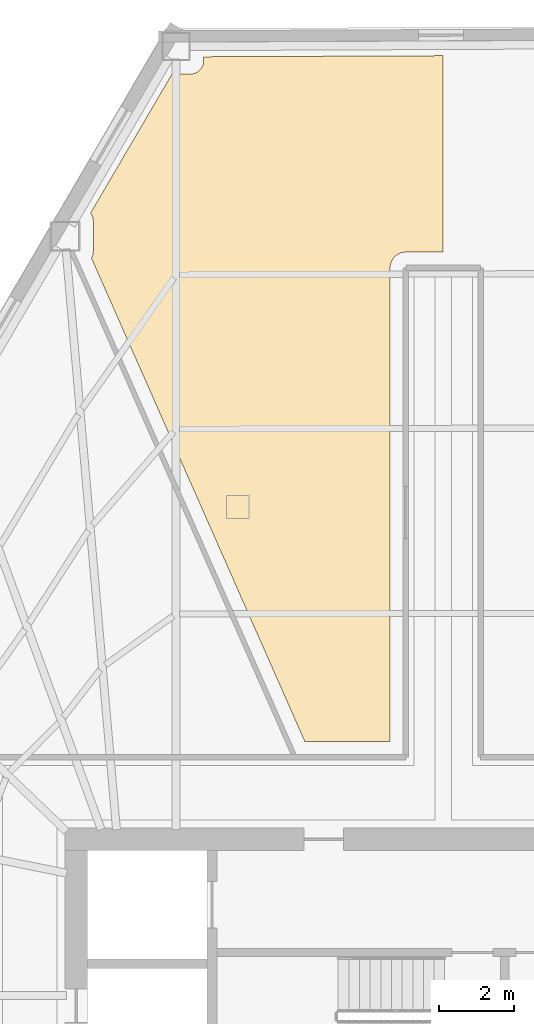
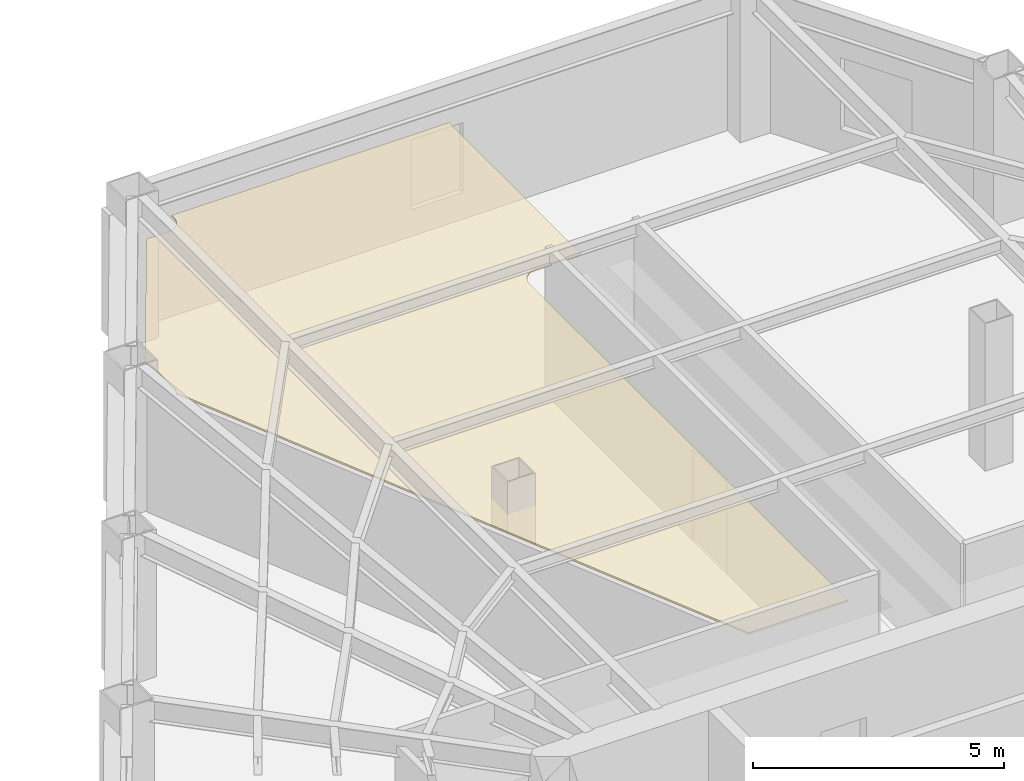
# One storey, part 15 of 15: 1 covering.
"""IFC4 building model written with IfcOpenShell, lengths in metres."""

import ifcopenshell
import ifcopenshell.guid

model = None  # the IFC model being written
_history = None  # IfcOwnerHistory: only IFC2X3 demands one
_inside = {}  # id of a spatial element -> (the spatial element, [elements in it])
_under = {}  # id of a project, library or spatial element -> (it, [spatial elements below it])
_declared = {}  # id of a project -> (the project, [libraries it declares])
_typed = {}  # id of a type object -> (the type object, [elements of that type])
_made_of = {}  # id of a material, layer set ... -> (it, [elements and type objects made of it])


def new_model(schema):
    """Start an empty IFC model of exactly this schema.

    Asked for "IFC4X3", IfcOpenShell would pick the latest addendum, in which some entities
    have other attributes; the version numbers below select the first issue.
    IFC2X3 requires an IfcOwnerHistory on every rooted entity: one is made here for all.
    """
    global model, _history
    if schema == "IFC4X3":
        model = ifcopenshell.file(schema_version=(4, 3, 0, 0))
    else:
        model = ifcopenshell.file(schema=schema)
    _inside.clear()
    _under.clear()
    _declared.clear()
    _typed.clear()
    _made_of.clear()
    _history = None
    if model.schema == "IFC2X3":
        org = make("IfcOrganization", Name="unknown")
        user = make(
            "IfcPersonAndOrganization",
            ThePerson=make("IfcPerson", FamilyName="unknown"),
            TheOrganization=org,
        )
        app = make(
            "IfcApplication",
            ApplicationDeveloper=org,
            Version="unknown",
            ApplicationFullName="unknown",
            ApplicationIdentifier="unknown",
        )
        _history = make(
            "IfcOwnerHistory",
            OwningUser=user,
            OwningApplication=app,
            ChangeAction="ADDED",
            CreationDate=0,
        )
    return model


def make(cls, **values):
    """One entity of the class cls with the attributes given. An attribute that is None is left unset."""
    return model.create_entity(
        cls, **{name: value for name, value in values.items() if value is not None}
    )


def rooted(cls, **values):
    """An entity with a GlobalId (a new one), such as an element, a storey or a relation."""
    return make(cls, GlobalId=ifcopenshell.guid.new(), OwnerHistory=_history, **values)


def si_unit(unit_type, name, prefix=None):
    """IfcSIUnit, for example si_unit("LENGTHUNIT", "METRE", prefix="MILLI")."""
    return make("IfcSIUnit", UnitType=unit_type, Prefix=prefix, Name=name)


def assignment(units):
    """IfcUnitAssignment: the units of a project."""
    return None if units is None else make("IfcUnitAssignment", Units=units)


def point(xyz):
    """IfcCartesianPoint."""
    return None if xyz is None else make("IfcCartesianPoint", Coordinates=xyz)


def direction(xyz):
    """IfcDirection."""
    return None if xyz is None else make("IfcDirection", DirectionRatios=xyz)


def frame(location, z_axis=None, x_axis=None):
    """IfcAxis2Placement3D, a coordinate frame: its origin and axes. An axis left out is left unset."""
    return make(
        "IfcAxis2Placement3D",
        Location=point(location),
        Axis=direction(z_axis),
        RefDirection=direction(x_axis),
    )


def origin():
    """The frame at (0, 0, 0) with its axes left unset."""
    return frame((0.0, 0.0, 0.0))


def place(relative_to, where):
    """IfcLocalPlacement: puts the frame where relative to a parent placement (None: the world)."""
    return make(
        "IfcLocalPlacement", PlacementRelTo=relative_to, RelativePlacement=where
    )


def context(
    kind, dimensions, precision=None, world=None, true_north=None, identifier=None
):
    """IfcGeometricRepresentationContext, for example the 3D "Model" context."""
    return make(
        "IfcGeometricRepresentationContext",
        ContextIdentifier=identifier,
        ContextType=kind,
        CoordinateSpaceDimension=dimensions,
        Precision=precision,
        WorldCoordinateSystem=world,
        TrueNorth=true_north,
    )


def subcontext(parent, identifier, kind, view, scale=None):
    """IfcGeometricRepresentationSubContext, for example "Body" below "Model"."""
    return make(
        "IfcGeometricRepresentationSubContext",
        ContextIdentifier=identifier,
        ContextType=kind,
        ParentContext=parent,
        TargetScale=scale,
        TargetView=view,
    )


def project(units=None, contexts=None):
    """IfcProject with its units and contexts."""
    return rooted(
        "IfcProject",
        Name="project",
        RepresentationContexts=contexts,
        UnitsInContext=assignment(units),
    )


def spatial(cls, under=None, at=None, **own):
    """A site, building, storey or space (cls), placed at a placement, below another one or the project."""
    s = rooted(cls, ObjectPlacement=at, **own)
    if under is not None:
        _under.setdefault(under.id(), (under, []))[1].append(s)
    return s


def polyline(points):
    """IfcPolyline through the points."""
    return make("IfcPolyline", Points=[point(p) for p in points])


def outline(outer, holes=None, kind="AREA"):
    """IfcArbitraryClosedProfileDef: a profile drawn as a closed curve; with holes, ...WithVoids."""
    if holes is None:
        return make("IfcArbitraryClosedProfileDef", ProfileType=kind, OuterCurve=outer)
    return make(
        "IfcArbitraryProfileDefWithVoids",
        ProfileType=kind,
        OuterCurve=outer,
        InnerCurves=holes,
    )


def extrude(swept, where, along, depth):
    """IfcExtrudedAreaSolid: the profile swept, set in the frame where, extruded along a direction by depth."""
    return make(
        "IfcExtrudedAreaSolid",
        SweptArea=swept,
        Position=where,
        ExtrudedDirection=direction(along),
        Depth=depth,
    )


def shape(context_of_items, identifier, shape_type, items):
    """IfcShapeRepresentation: the items that make up one representation, for example the "Body"."""
    return make(
        "IfcShapeRepresentation",
        ContextOfItems=context_of_items,
        RepresentationIdentifier=identifier,
        RepresentationType=shape_type,
        Items=items,
    )


def material(Name=None, Category=None):
    """IfcMaterial."""
    return make("IfcMaterial", Name=Name, Category=Category)


def layer(
    of_material, thickness, ventilated=None, Name=None, Category=None, Priority=None
):
    """IfcMaterialLayer: one layer of a wall or slab, of a material (None: an air gap)."""
    return make(
        "IfcMaterialLayer",
        Material=of_material,
        LayerThickness=thickness,
        IsVentilated=ventilated,
        Name=Name,
        Category=Category,
        Priority=Priority,
    )


def layer_set(layers, Name=None):
    """IfcMaterialLayerSet."""
    return make("IfcMaterialLayerSet", MaterialLayers=layers, LayerSetName=Name)


def made_of(thing, what):
    """Note that an element or type object is made of a material, layer set ...; save() writes the relation."""
    if what is not None:
        _made_of.setdefault(what.id(), (what, []))[1].append(thing)
    return thing


def type_object(cls, material=None, **own):
    """A type object (cls), such as IfcWallType, which elements share."""
    return made_of(rooted(cls, **own), material)


def element(
    cls,
    number,
    at=None,
    inside=None,
    cuts=None,
    type_object=None,
    material=None,
    context=None,
    identifier="Body",
    shape_type=None,
    held_by="IfcProductDefinitionShape",
    body=None,
    shapes=None,
    **own,
):
    """One element of the class cls, such as IfcWall. Its Tag is "e" and its number.

    at: its placement. inside: the storey or other place that contains it. cuts: it is an
    opening in that element (IfcRelVoidsElement). A single representation is given by context,
    identifier, shape_type and body (its items); several are given by shapes. held_by: the class
    of the entity that holds the representations. save() writes the other relations.
    """
    e = rooted(cls, Tag="e%d" % number, ObjectPlacement=at, **own)
    if body is not None:
        shapes = [shape(context, identifier, shape_type, body)]
    if shapes is not None:
        e.Representation = make(held_by, Representations=shapes)
    if inside is not None:
        _inside.setdefault(inside.id(), (inside, []))[1].append(e)
    if cuts is not None:
        rooted(
            "IfcRelVoidsElement", RelatingBuildingElement=cuts, RelatedOpeningElement=e
        )
    if type_object is not None:
        _typed.setdefault(type_object.id(), (type_object, []))[1].append(e)
    return made_of(e, material)


def aggregate(whole, parts):
    """IfcRelAggregates: a whole, such as a stair, and the parts it consists of."""
    return rooted("IfcRelAggregates", RelatingObject=whole, RelatedObjects=parts)


def save(model, path):
    """Write the relations noted so far, then the file.

    IfcRelAggregates (storeys below a building ...), IfcRelContainedInSpatialStructure (elements
    in a storey), IfcRelDefinesByType, IfcRelAssociatesMaterial and IfcRelDeclares: one each for
    every whole, place, type object, material and project.
    """
    for whole, parts in _under.values():
        aggregate(whole, parts)
    for where, things in _inside.values():
        rooted(
            "IfcRelContainedInSpatialStructure",
            RelatedElements=things,
            RelatingStructure=where,
        )
    for kind, things in _typed.values():
        rooted("IfcRelDefinesByType", RelatedObjects=things, RelatingType=kind)
    for what, things in _made_of.values():
        rooted("IfcRelAssociatesMaterial", RelatedObjects=things, RelatingMaterial=what)
    for by, libraries in _declared.values():
        rooted("IfcRelDeclares", RelatingContext=by, RelatedDefinitions=libraries)
    model.write(path)


model = new_model("IFC4")

# Units and contexts
model_context = context("Model", 3, precision=1e-05, world=origin(), true_north=direction((0.0, 1.0)))
body_context = subcontext(model_context, "Body", "Model", "MODEL_VIEW")
ifc_project = project(units=[si_unit("LENGTHUNIT", "METRE"), si_unit("AREAUNIT", "SQUARE_METRE"), si_unit("VOLUMEUNIT", "CUBIC_METRE"), si_unit("PLANEANGLEUNIT", "RADIAN"), si_unit("MASSUNIT", "GRAM", prefix="KILO")], contexts=[model_context])

# Site, building, storey
site_placement = place(None, origin())
site = spatial("IfcSite", under=ifc_project, at=site_placement, CompositionType="ELEMENT")
building_placement = place(site_placement, origin())
building = spatial("IfcBuilding", under=site, at=building_placement, Name="Kavelnor Concourse Tower", CompositionType="ELEMENT")
storey_placement = place(building_placement, frame((0.0, 0.0, 67.60009765625)))
storey = spatial("IfcBuildingStorey", under=building, at=storey_placement, Name="L17", CompositionType="ELEMENT", Elevation=67.60009765625)

# Covering
ifc_material = material(Name="Mineral fibre acoustic ceiling tile")
ifc_layer = layer(ifc_material, 0.0400390625, Name="Mineral fibre acoustic ceiling tile")
ifc_layer_set = layer_set([ifc_layer], Name="Mineral fibre acoustic ceiling tile")
covering_type = type_object("IfcCoveringType", Name="COV-CEILING-ACOUSTIC", PredefinedType="CEILING", material=ifc_layer_set)
covering_placement = place(storey_placement, frame((0.0, 0.0, 2.75)))
element("IfcCovering", 1, at=covering_placement, inside=storey, type_object=covering_type, Name="L17 Suspended Acoustic Ceiling", PredefinedType="CEILING", context=body_context, shape_type="SweptSolid", body=[
    extrude(outline(polyline([(31.26220703125, 43.39111328125), (31.297119140625, 43.396484375), (31.33154296875, 43.405029296875), (31.36474609375, 43.4169921875), (31.396728515625, 43.431884765625), (31.427001953125, 43.4501953125), (31.45556640625, 43.47119140625), (31.481689453125, 43.4951171875), (31.505615234375, 43.521240234375), (31.526611328125, 43.5498046875), (31.544921875, 43.580078125), (31.559814453125, 43.612060546875), (31.57177734375, 43.645263671875), (31.580322265625, 43.6796875), (31.585693359375, 43.714599609375), (31.5869140625, 43.74169921875), (31.5869140625, 43.853271484375), (37.9951171875, 43.882080078125), (37.9951171875, 38.62255859375), (36.99169921875, 38.62255859375), (36.95849609375, 38.620849609375), (36.91748046875, 38.61474609375), (36.877197265625, 38.604736328125), (36.838134765625, 38.5908203125), (36.800537109375, 38.572998046875), (36.764892578125, 38.551513671875), (36.731689453125, 38.52685546875), (36.700927734375, 38.4990234375), (36.673095703125, 38.46826171875), (36.6484375, 38.43505859375), (36.626953125, 38.3994140625), (36.609375, 38.36181640625), (36.59521484375, 38.32275390625), (36.585205078125, 38.282470703125), (36.5791015625, 38.241455078125), (36.577392578125, 38.208251953125), (36.577392578125, 25.5224609375), (34.294189453125, 25.5224609375), (28.5810546875, 38.465087890625), (28.58837890625, 38.477294921875), (28.603515625, 38.509521484375), (28.615478515625, 38.542724609375), (28.6240234375, 38.576904296875), (28.629150390625, 38.612060546875), (28.630615234375, 38.638916015625), (28.630615234375, 39.45556640625), (28.629150390625, 39.482666015625), (28.6240234375, 39.517578125), (28.615478515625, 39.552001953125), (28.603515625, 39.585205078125), (28.58837890625, 39.6171875), (28.5703125, 39.6474609375), (28.556884765625, 39.665283203125), (30.738037109375, 43.389892578125), (31.235107421875, 43.389892578125), (31.26220703125, 43.39111328125)])), origin(), (0.0, 0.0, 1.0), 0.039794921875),
])

save(model, "model.ifc")
